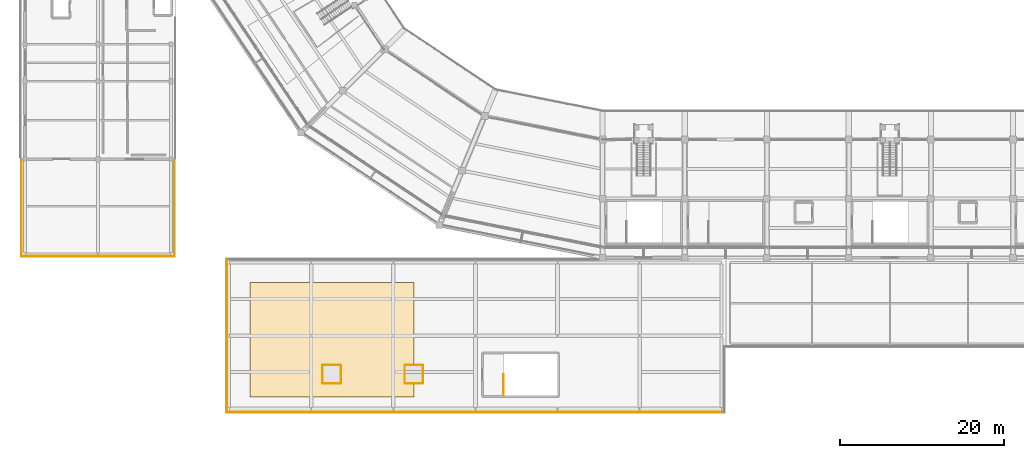
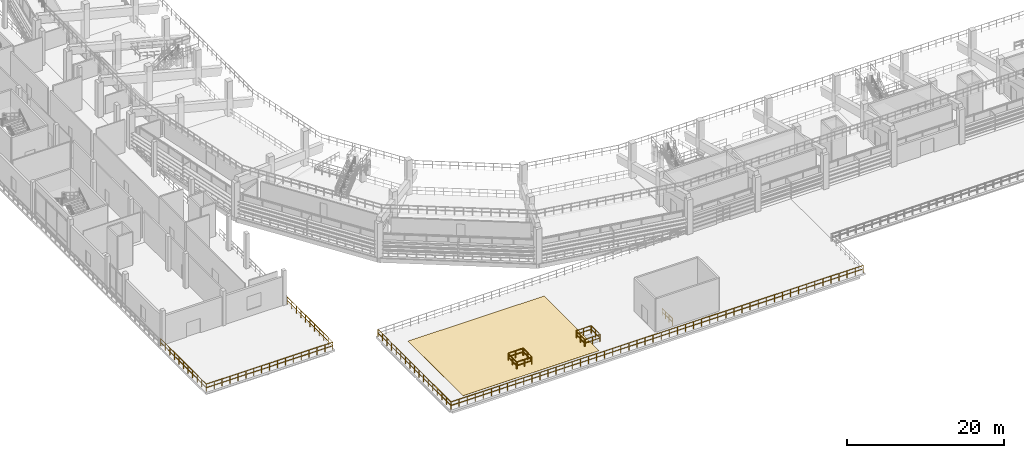
# One storey, part 75 of 96: 14 railings, 1 covering.
"""IFC4 building model written with IfcOpenShell, lengths in metres."""

from ifc_helpers import new_model, si_unit, direction, frame, origin, origin_2d, place, context, subcontext, project, spatial, polyline, circle, outline, extrude, material, layer, layer_set, type_object, element, save


model = new_model("IFC4")

# Units and contexts
model_context = context("Model", 3, precision=1e-05, world=origin(), true_north=direction((0.0, 1.0)))
body_context = subcontext(model_context, "Body", "Model", "MODEL_VIEW")
ifc_project = project(units=[si_unit("LENGTHUNIT", "METRE"), si_unit("AREAUNIT", "SQUARE_METRE"), si_unit("VOLUMEUNIT", "CUBIC_METRE"), si_unit("PLANEANGLEUNIT", "RADIAN"), si_unit("MASSUNIT", "GRAM", prefix="KILO")], contexts=[model_context])

# Site, building, storey
site_placement = place(None, origin())
site = spatial("IfcSite", under=ifc_project, at=site_placement, CompositionType="ELEMENT")
building_placement = place(site_placement, origin())
building = spatial("IfcBuilding", under=site, at=building_placement, Name="Candeia Ridge Stadium", CompositionType="ELEMENT")
storey_placement = place(building_placement, frame((0.0, 0.0, 21.60009765625)))
storey = spatial("IfcBuildingStorey", under=building, at=storey_placement, Name="L04", CompositionType="ELEMENT", Elevation=21.60009765625)

# Railings
ifc_material_1 = material(Name="Laminated Glass & Stainless Steel", Category="steel")
ifc_layer_1 = layer(ifc_material_1, 0.080078125, Name="Laminated Glass & Stainless Steel", Category="steel")
ifc_layer_set_1 = layer_set([ifc_layer_1], Name="Laminated Glass & Stainless Steel")
railing_type_1 = type_object("IfcRailingType", Name="Planted Terrace Glass-Steel Guard 1150", PredefinedType="BALUSTRADE", material=ifc_layer_set_1)
railing_1_placement = place(storey_placement, frame((46.929931640625, 3.679931640625, 0.0)))
element("IfcRailing", 1, at=railing_1_placement, inside=storey, type_object=railing_type_1, Name="Skylight perimeter safety balustrade GR-SKY-04-1", PredefinedType="BALUSTRADE", context=body_context, shape_type="SweptSolid", body=[
    extrude(circle(Radius=0.02392578125, at=origin_2d()), frame((0.0, 0.0, 1.1259765625), z_axis=(1.0, 0.0, 0.0), x_axis=(0.0, 1.0, 0.0)), (0.0, 0.0, 1.0), 2.14013671875),
    extrude(circle(Radius=0.02392578125, at=origin_2d()), frame((0.0, 0.0, 0.574951171875), z_axis=(1.0, 0.0, 0.0), x_axis=(0.0, 1.0, 0.0)), (0.0, 0.0, 1.0), 2.14013671875),
    extrude(circle(Radius=0.02099609375, at=origin_2d()), origin(), (0.0, 0.0, 1.0), 1.101806640625),
    extrude(circle(Radius=0.02099609375, at=origin_2d()), frame((1.070068359375, 0.0, 0.0)), (0.0, 0.0, 1.0), 1.101806640625),
    extrude(circle(Radius=0.02099609375, at=origin_2d()), frame((2.14013671875, 0.0, 0.0)), (0.0, 0.0, 1.0), 1.101806640625),
])
railing_2_placement = place(storey_placement, frame((49.1201171875, 3.72998046875, 0.0)))
element("IfcRailing", 2, at=railing_2_placement, inside=storey, type_object=railing_type_1, Name="Skylight perimeter safety balustrade GR-SKY-04-2", PredefinedType="BALUSTRADE", context=body_context, shape_type="SweptSolid", body=[
    extrude(circle(Radius=0.02392578125, at=origin_2d()), frame((0.0, 0.0, 1.1259765625), z_axis=(0.0, 1.0, 0.0), x_axis=(-1.0, 0.0, 0.0)), (0.0, 0.0, 1.0), 2.14013671875),
    extrude(circle(Radius=0.02392578125, at=origin_2d()), frame((0.0, 0.0, 0.574951171875), z_axis=(0.0, 1.0, 0.0), x_axis=(-1.0, 0.0, 0.0)), (0.0, 0.0, 1.0), 2.14013671875),
    extrude(circle(Radius=0.02099609375, at=origin_2d()), origin(), (0.0, 0.0, 1.0), 1.101806640625),
    extrude(circle(Radius=0.02099609375, at=origin_2d()), frame((0.0, 1.070068359375, 0.0)), (0.0, 0.0, 1.0), 1.101806640625),
    extrude(circle(Radius=0.02099609375, at=origin_2d()), frame((0.0, 2.14013671875, 0.0)), (0.0, 0.0, 1.0), 1.101806640625),
])
railing_3_placement = place(storey_placement, frame((49.070068359375, 5.919921875, 0.0)))
element("IfcRailing", 3, at=railing_3_placement, inside=storey, type_object=railing_type_1, Name="Skylight perimeter safety balustrade GR-SKY-04-3", PredefinedType="BALUSTRADE", context=body_context, shape_type="SweptSolid", body=[
    extrude(circle(Radius=0.02392578125, at=origin_2d()), frame((0.0, 0.0, 1.1259765625), z_axis=(-1.0, 0.0, 0.0), x_axis=(0.0, -1.0, 0.0)), (0.0, 0.0, 1.0), 2.14013671875),
    extrude(circle(Radius=0.02392578125, at=origin_2d()), frame((0.0, 0.0, 0.574951171875), z_axis=(-1.0, 0.0, 0.0), x_axis=(0.0, -1.0, 0.0)), (0.0, 0.0, 1.0), 2.14013671875),
    extrude(circle(Radius=0.02099609375, at=origin_2d()), origin(), (0.0, 0.0, 1.0), 1.101806640625),
    extrude(circle(Radius=0.02099609375, at=origin_2d()), frame((-1.070068359375, 0.0, 0.0)), (0.0, 0.0, 1.0), 1.101806640625),
    extrude(circle(Radius=0.02099609375, at=origin_2d()), frame((-2.14013671875, 0.0, 0.0)), (0.0, 0.0, 1.0), 1.101806640625),
])
railing_4_placement = place(storey_placement, frame((46.8798828125, 5.8701171875, 0.0)))
element("IfcRailing", 4, at=railing_4_placement, inside=storey, type_object=railing_type_1, Name="Skylight perimeter safety balustrade GR-SKY-04-4", PredefinedType="BALUSTRADE", context=body_context, shape_type="SweptSolid", body=[
    extrude(circle(Radius=0.02392578125, at=origin_2d()), frame((0.0, 0.0, 1.1259765625), z_axis=(0.0, -1.0, 0.0), x_axis=(1.0, 0.0, 0.0)), (0.0, 0.0, 1.0), 2.14013671875),
    extrude(circle(Radius=0.02392578125, at=origin_2d()), frame((0.0, 0.0, 0.574951171875), z_axis=(0.0, -1.0, 0.0), x_axis=(1.0, 0.0, 0.0)), (0.0, 0.0, 1.0), 2.14013671875),
    extrude(circle(Radius=0.02099609375, at=origin_2d()), origin(), (0.0, 0.0, 1.0), 1.101806640625),
    extrude(circle(Radius=0.02099609375, at=origin_2d()), frame((0.0, -1.070068359375, 0.0)), (0.0, 0.0, 1.0), 1.101806640625),
    extrude(circle(Radius=0.02099609375, at=origin_2d()), frame((0.0, -2.14013671875, 0.0)), (0.0, 0.0, 1.0), 1.101806640625),
])
railing_5_placement = place(storey_placement, frame((36.929931640625, 3.679931640625, 0.0)))
element("IfcRailing", 5, at=railing_5_placement, inside=storey, type_object=railing_type_1, Name="Skylight perimeter safety balustrade GR-SKY-05-1", PredefinedType="BALUSTRADE", context=body_context, shape_type="SweptSolid", body=[
    extrude(circle(Radius=0.02392578125, at=origin_2d()), frame((0.0, 0.0, 1.1259765625), z_axis=(1.0, 0.0, 0.0), x_axis=(0.0, 1.0, 0.0)), (0.0, 0.0, 1.0), 2.14013671875),
    extrude(circle(Radius=0.02392578125, at=origin_2d()), frame((0.0, 0.0, 0.574951171875), z_axis=(1.0, 0.0, 0.0), x_axis=(0.0, 1.0, 0.0)), (0.0, 0.0, 1.0), 2.14013671875),
    extrude(circle(Radius=0.02099609375, at=origin_2d()), origin(), (0.0, 0.0, 1.0), 1.101806640625),
    extrude(circle(Radius=0.02099609375, at=origin_2d()), frame((1.070068359375, 0.0, 0.0)), (0.0, 0.0, 1.0), 1.101806640625),
    extrude(circle(Radius=0.02099609375, at=origin_2d()), frame((2.14013671875, 0.0, 0.0)), (0.0, 0.0, 1.0), 1.101806640625),
])
railing_6_placement = place(storey_placement, frame((39.1201171875, 3.72998046875, 0.0)))
element("IfcRailing", 6, at=railing_6_placement, inside=storey, type_object=railing_type_1, Name="Skylight perimeter safety balustrade GR-SKY-05-2", PredefinedType="BALUSTRADE", context=body_context, shape_type="SweptSolid", body=[
    extrude(circle(Radius=0.02392578125, at=origin_2d()), frame((0.0, 0.0, 1.1259765625), z_axis=(0.0, 1.0, 0.0), x_axis=(-1.0, 0.0, 0.0)), (0.0, 0.0, 1.0), 2.14013671875),
    extrude(circle(Radius=0.02392578125, at=origin_2d()), frame((0.0, 0.0, 0.574951171875), z_axis=(0.0, 1.0, 0.0), x_axis=(-1.0, 0.0, 0.0)), (0.0, 0.0, 1.0), 2.14013671875),
    extrude(circle(Radius=0.02099609375, at=origin_2d()), origin(), (0.0, 0.0, 1.0), 1.101806640625),
    extrude(circle(Radius=0.02099609375, at=origin_2d()), frame((0.0, 1.070068359375, 0.0)), (0.0, 0.0, 1.0), 1.101806640625),
    extrude(circle(Radius=0.02099609375, at=origin_2d()), frame((0.0, 2.14013671875, 0.0)), (0.0, 0.0, 1.0), 1.101806640625),
])
railing_7_placement = place(storey_placement, frame((39.070068359375, 5.919921875, 0.0)))
element("IfcRailing", 7, at=railing_7_placement, inside=storey, type_object=railing_type_1, Name="Skylight perimeter safety balustrade GR-SKY-05-3", PredefinedType="BALUSTRADE", context=body_context, shape_type="SweptSolid", body=[
    extrude(circle(Radius=0.02392578125, at=origin_2d()), frame((0.0, 0.0, 1.1259765625), z_axis=(-1.0, 0.0, 0.0), x_axis=(0.0, -1.0, 0.0)), (0.0, 0.0, 1.0), 2.14013671875),
    extrude(circle(Radius=0.02392578125, at=origin_2d()), frame((0.0, 0.0, 0.574951171875), z_axis=(-1.0, 0.0, 0.0), x_axis=(0.0, -1.0, 0.0)), (0.0, 0.0, 1.0), 2.14013671875),
    extrude(circle(Radius=0.02099609375, at=origin_2d()), origin(), (0.0, 0.0, 1.0), 1.101806640625),
    extrude(circle(Radius=0.02099609375, at=origin_2d()), frame((-1.070068359375, 0.0, 0.0)), (0.0, 0.0, 1.0), 1.101806640625),
    extrude(circle(Radius=0.02099609375, at=origin_2d()), frame((-2.14013671875, 0.0, 0.0)), (0.0, 0.0, 1.0), 1.101806640625),
])
railing_8_placement = place(storey_placement, frame((36.8798828125, 5.8701171875, 0.0)))
element("IfcRailing", 8, at=railing_8_placement, inside=storey, type_object=railing_type_1, Name="Skylight perimeter safety balustrade GR-SKY-05-4", PredefinedType="BALUSTRADE", context=body_context, shape_type="SweptSolid", body=[
    extrude(circle(Radius=0.02392578125, at=origin_2d()), frame((0.0, 0.0, 1.1259765625), z_axis=(0.0, -1.0, 0.0), x_axis=(1.0, 0.0, 0.0)), (0.0, 0.0, 1.0), 2.14013671875),
    extrude(circle(Radius=0.02392578125, at=origin_2d()), frame((0.0, 0.0, 0.574951171875), z_axis=(0.0, -1.0, 0.0), x_axis=(1.0, 0.0, 0.0)), (0.0, 0.0, 1.0), 2.14013671875),
    extrude(circle(Radius=0.02099609375, at=origin_2d()), origin(), (0.0, 0.0, 1.0), 1.101806640625),
    extrude(circle(Radius=0.02099609375, at=origin_2d()), frame((0.0, -1.070068359375, 0.0)), (0.0, 0.0, 1.0), 1.101806640625),
    extrude(circle(Radius=0.02099609375, at=origin_2d()), frame((0.0, -2.14013671875, 0.0)), (0.0, 0.0, 1.0), 1.101806640625),
])
railing_9_placement = place(storey_placement, frame((25.199951171875, 18.800048828125, 0.0)))
element("IfcRailing", 9, at=railing_9_placement, inside=storey, type_object=railing_type_1, Name="Terrace perimeter balustrade GR-TER-200", PredefinedType="BALUSTRADE", context=body_context, shape_type="SweptSolid", body=[
    extrude(circle(Radius=0.02392578125, at=origin_2d()), frame((0.0, 0.0, 1.1259765625), z_axis=(0.0, -1.0, 0.0), x_axis=(1.0, 0.0, 0.0)), (0.0, 0.0, 1.0), 18.60009765625),
    extrude(circle(Radius=0.02392578125, at=origin_2d()), frame((0.0, 0.0, 0.574951171875), z_axis=(0.0, -1.0, 0.0), x_axis=(1.0, 0.0, 0.0)), (0.0, 0.0, 1.0), 18.60009765625),
    extrude(circle(Radius=0.02099609375, at=origin_2d()), origin(), (0.0, 0.0, 1.0), 1.101806640625),
    extrude(circle(Radius=0.02099609375, at=origin_2d()), frame((0.0, -1.16259765625, 0.0)), (0.0, 0.0, 1.0), 1.101806640625),
    extrude(circle(Radius=0.02099609375, at=origin_2d()), frame((0.0, -2.324951171875, 0.0)), (0.0, 0.0, 1.0), 1.101806640625),
    extrude(circle(Radius=0.02099609375, at=origin_2d()), frame((0.0, -3.487548828125, 0.0)), (0.0, 0.0, 1.0), 1.101806640625),
    extrude(circle(Radius=0.02099609375, at=origin_2d()), frame((0.0, -4.64990234375, 0.0)), (0.0, 0.0, 1.0), 1.101806640625),
    extrude(circle(Radius=0.02099609375, at=origin_2d()), frame((0.0, -5.8125, 0.0)), (0.0, 0.0, 1.0), 1.101806640625),
    extrude(circle(Radius=0.02099609375, at=origin_2d()), frame((0.0, -6.97509765625, 0.0)), (0.0, 0.0, 1.0), 1.101806640625),
    extrude(circle(Radius=0.02099609375, at=origin_2d()), frame((0.0, -8.137451171875, 0.0)), (0.0, 0.0, 1.0), 1.101806640625),
    extrude(circle(Radius=0.02099609375, at=origin_2d()), frame((0.0, -9.300048828125, 0.0)), (0.0, 0.0, 1.0), 1.101806640625),
    extrude(circle(Radius=0.02099609375, at=origin_2d()), frame((0.0, -10.462646484375, 0.0)), (0.0, 0.0, 1.0), 1.101806640625),
    extrude(circle(Radius=0.02099609375, at=origin_2d()), frame((0.0, -11.625, 0.0)), (0.0, 0.0, 1.0), 1.101806640625),
    extrude(circle(Radius=0.02099609375, at=origin_2d()), frame((0.0, -12.78759765625, 0.0)), (0.0, 0.0, 1.0), 1.101806640625),
    extrude(circle(Radius=0.02099609375, at=origin_2d()), frame((0.0, -13.9501953125, 0.0)), (0.0, 0.0, 1.0), 1.101806640625),
    extrude(circle(Radius=0.02099609375, at=origin_2d()), frame((0.0, -15.112548828125, 0.0)), (0.0, 0.0, 1.0), 1.101806640625),
    extrude(circle(Radius=0.02099609375, at=origin_2d()), frame((0.0, -16.275146484375, 0.0)), (0.0, 0.0, 1.0), 1.101806640625),
    extrude(circle(Radius=0.02099609375, at=origin_2d()), frame((0.0, -17.4375, 0.0)), (0.0, 0.0, 1.0), 1.101806640625),
    extrude(circle(Radius=0.02099609375, at=origin_2d()), frame((0.0, -18.60009765625, 0.0)), (0.0, 0.0, 1.0), 1.101806640625),
])
railing_10_placement = place(storey_placement, frame((25.199951171875, 0.199951171875, 0.0)))
element("IfcRailing", 10, at=railing_10_placement, inside=storey, type_object=railing_type_1, Name="Terrace perimeter balustrade GR-TER-201", PredefinedType="BALUSTRADE", context=body_context, shape_type="SweptSolid", body=[
    extrude(circle(Radius=0.02392578125, at=origin_2d()), frame((0.0, 0.0, 1.1259765625), z_axis=(1.0, 0.0, 0.0), x_axis=(0.0, 1.0, 0.0)), (0.0, 0.0, 1.0), 60.60009765625),
    extrude(circle(Radius=0.02392578125, at=origin_2d()), frame((0.0, 0.0, 0.574951171875), z_axis=(1.0, 0.0, 0.0), x_axis=(0.0, 1.0, 0.0)), (0.0, 0.0, 1.0), 60.60009765625),
    extrude(circle(Radius=0.02099609375, at=origin_2d()), origin(), (0.0, 0.0, 1.0), 1.101806640625),
    extrude(circle(Radius=0.02099609375, at=origin_2d()), frame((1.188232421875, 0.0, 0.0)), (0.0, 0.0, 1.0), 1.101806640625),
    extrude(circle(Radius=0.02099609375, at=origin_2d()), frame((2.37646484375, 0.0, 0.0)), (0.0, 0.0, 1.0), 1.101806640625),
    extrude(circle(Radius=0.02099609375, at=origin_2d()), frame((3.564697265625, 0.0, 0.0)), (0.0, 0.0, 1.0), 1.101806640625),
    extrude(circle(Radius=0.02099609375, at=origin_2d()), frame((4.7529296875, 0.0, 0.0)), (0.0, 0.0, 1.0), 1.101806640625),
    extrude(circle(Radius=0.02099609375, at=origin_2d()), frame((5.941162109375, 0.0, 0.0)), (0.0, 0.0, 1.0), 1.101806640625),
    extrude(circle(Radius=0.02099609375, at=origin_2d()), frame((7.12939453125, 0.0, 0.0)), (0.0, 0.0, 1.0), 1.101806640625),
    extrude(circle(Radius=0.02099609375, at=origin_2d()), frame((8.317626953125, 0.0, 0.0)), (0.0, 0.0, 1.0), 1.101806640625),
    extrude(circle(Radius=0.02099609375, at=origin_2d()), frame((9.505859375, 0.0, 0.0)), (0.0, 0.0, 1.0), 1.101806640625),
    extrude(circle(Radius=0.02099609375, at=origin_2d()), frame((10.694091796875, 0.0, 0.0)), (0.0, 0.0, 1.0), 1.101806640625),
    extrude(circle(Radius=0.02099609375, at=origin_2d()), frame((11.88232421875, 0.0, 0.0)), (0.0, 0.0, 1.0), 1.101806640625),
    extrude(circle(Radius=0.02099609375, at=origin_2d()), frame((13.070556640625, 0.0, 0.0)), (0.0, 0.0, 1.0), 1.101806640625),
    extrude(circle(Radius=0.02099609375, at=origin_2d()), frame((14.2587890625, 0.0, 0.0)), (0.0, 0.0, 1.0), 1.101806640625),
    extrude(circle(Radius=0.02099609375, at=origin_2d()), frame((15.447021484375, 0.0, 0.0)), (0.0, 0.0, 1.0), 1.101806640625),
    extrude(circle(Radius=0.02099609375, at=origin_2d()), frame((16.63525390625, 0.0, 0.0)), (0.0, 0.0, 1.0), 1.101806640625),
    extrude(circle(Radius=0.02099609375, at=origin_2d()), frame((17.823486328125, 0.0, 0.0)), (0.0, 0.0, 1.0), 1.101806640625),
    extrude(circle(Radius=0.02099609375, at=origin_2d()), frame((19.01171875, 0.0, 0.0)), (0.0, 0.0, 1.0), 1.101806640625),
    extrude(circle(Radius=0.02099609375, at=origin_2d()), frame((20.199951171875, 0.0, 0.0)), (0.0, 0.0, 1.0), 1.101806640625),
    extrude(circle(Radius=0.02099609375, at=origin_2d()), frame((21.38818359375, 0.0, 0.0)), (0.0, 0.0, 1.0), 1.101806640625),
    extrude(circle(Radius=0.02099609375, at=origin_2d()), frame((22.576416015625, 0.0, 0.0)), (0.0, 0.0, 1.0), 1.101806640625),
    extrude(circle(Radius=0.02099609375, at=origin_2d()), frame((23.7646484375, 0.0, 0.0)), (0.0, 0.0, 1.0), 1.101806640625),
    extrude(circle(Radius=0.02099609375, at=origin_2d()), frame((24.952880859375, 0.0, 0.0)), (0.0, 0.0, 1.0), 1.101806640625),
    extrude(circle(Radius=0.02099609375, at=origin_2d()), frame((26.14111328125, 0.0, 0.0)), (0.0, 0.0, 1.0), 1.101806640625),
    extrude(circle(Radius=0.02099609375, at=origin_2d()), frame((27.329345703125, 0.0, 0.0)), (0.0, 0.0, 1.0), 1.101806640625),
    extrude(circle(Radius=0.02099609375, at=origin_2d()), frame((28.517578125, 0.0, 0.0)), (0.0, 0.0, 1.0), 1.101806640625),
    extrude(circle(Radius=0.02099609375, at=origin_2d()), frame((29.705810546875, 0.0, 0.0)), (0.0, 0.0, 1.0), 1.101806640625),
    extrude(circle(Radius=0.02099609375, at=origin_2d()), frame((30.894287109375, 0.0, 0.0)), (0.0, 0.0, 1.0), 1.101806640625),
    extrude(circle(Radius=0.02099609375, at=origin_2d()), frame((32.08251953125, 0.0, 0.0)), (0.0, 0.0, 1.0), 1.101806640625),
    extrude(circle(Radius=0.02099609375, at=origin_2d()), frame((33.270751953125, 0.0, 0.0)), (0.0, 0.0, 1.0), 1.101806640625),
    extrude(circle(Radius=0.02099609375, at=origin_2d()), frame((34.458984375, 0.0, 0.0)), (0.0, 0.0, 1.0), 1.101806640625),
    extrude(circle(Radius=0.02099609375, at=origin_2d()), frame((35.647216796875, 0.0, 0.0)), (0.0, 0.0, 1.0), 1.101806640625),
    extrude(circle(Radius=0.02099609375, at=origin_2d()), frame((36.83544921875, 0.0, 0.0)), (0.0, 0.0, 1.0), 1.101806640625),
    extrude(circle(Radius=0.02099609375, at=origin_2d()), frame((38.023681640625, 0.0, 0.0)), (0.0, 0.0, 1.0), 1.101806640625),
    extrude(circle(Radius=0.02099609375, at=origin_2d()), frame((39.2119140625, 0.0, 0.0)), (0.0, 0.0, 1.0), 1.101806640625),
    extrude(circle(Radius=0.02099609375, at=origin_2d()), frame((40.400146484375, 0.0, 0.0)), (0.0, 0.0, 1.0), 1.101806640625),
    extrude(circle(Radius=0.02099609375, at=origin_2d()), frame((41.58837890625, 0.0, 0.0)), (0.0, 0.0, 1.0), 1.101806640625),
    extrude(circle(Radius=0.02099609375, at=origin_2d()), frame((42.776611328125, 0.0, 0.0)), (0.0, 0.0, 1.0), 1.101806640625),
    extrude(circle(Radius=0.02099609375, at=origin_2d()), frame((43.96484375, 0.0, 0.0)), (0.0, 0.0, 1.0), 1.101806640625),
    extrude(circle(Radius=0.02099609375, at=origin_2d()), frame((45.153076171875, 0.0, 0.0)), (0.0, 0.0, 1.0), 1.101806640625),
    extrude(circle(Radius=0.02099609375, at=origin_2d()), frame((46.34130859375, 0.0, 0.0)), (0.0, 0.0, 1.0), 1.101806640625),
    extrude(circle(Radius=0.02099609375, at=origin_2d()), frame((47.529541015625, 0.0, 0.0)), (0.0, 0.0, 1.0), 1.101806640625),
    extrude(circle(Radius=0.02099609375, at=origin_2d()), frame((48.7177734375, 0.0, 0.0)), (0.0, 0.0, 1.0), 1.101806640625),
    extrude(circle(Radius=0.02099609375, at=origin_2d()), frame((49.906005859375, 0.0, 0.0)), (0.0, 0.0, 1.0), 1.101806640625),
    extrude(circle(Radius=0.02099609375, at=origin_2d()), frame((51.09423828125, 0.0, 0.0)), (0.0, 0.0, 1.0), 1.101806640625),
    extrude(circle(Radius=0.02099609375, at=origin_2d()), frame((52.282470703125, 0.0, 0.0)), (0.0, 0.0, 1.0), 1.101806640625),
    extrude(circle(Radius=0.02099609375, at=origin_2d()), frame((53.470703125, 0.0, 0.0)), (0.0, 0.0, 1.0), 1.101806640625),
    extrude(circle(Radius=0.02099609375, at=origin_2d()), frame((54.658935546875, 0.0, 0.0)), (0.0, 0.0, 1.0), 1.101806640625),
    extrude(circle(Radius=0.02099609375, at=origin_2d()), frame((55.84716796875, 0.0, 0.0)), (0.0, 0.0, 1.0), 1.101806640625),
    extrude(circle(Radius=0.02099609375, at=origin_2d()), frame((57.035400390625, 0.0, 0.0)), (0.0, 0.0, 1.0), 1.101806640625),
    extrude(circle(Radius=0.02099609375, at=origin_2d()), frame((58.2236328125, 0.0, 0.0)), (0.0, 0.0, 1.0), 1.101806640625),
    extrude(circle(Radius=0.02099609375, at=origin_2d()), frame((59.411865234375, 0.0, 0.0)), (0.0, 0.0, 1.0), 1.101806640625),
    extrude(circle(Radius=0.02099609375, at=origin_2d()), frame((60.60009765625, 0.0, 0.0)), (0.0, 0.0, 1.0), 1.101806640625),
])
railing_11_placement = place(storey_placement, frame((0.199951171875, 30.800048828125, 0.0)))
element("IfcRailing", 11, at=railing_11_placement, inside=storey, type_object=railing_type_1, Name="Terrace perimeter balustrade GR-TER-208", PredefinedType="BALUSTRADE", context=body_context, shape_type="SweptSolid", body=[
    extrude(circle(Radius=0.02392578125, at=origin_2d()), frame((0.0, 0.0, 1.1259765625), z_axis=(0.0, -1.0, 0.0), x_axis=(1.0, 0.0, 0.0)), (0.0, 0.0, 1.0), 11.60009765625),
    extrude(circle(Radius=0.02392578125, at=origin_2d()), frame((0.0, 0.0, 0.574951171875), z_axis=(0.0, -1.0, 0.0), x_axis=(1.0, 0.0, 0.0)), (0.0, 0.0, 1.0), 11.60009765625),
    extrude(circle(Radius=0.02099609375, at=origin_2d()), origin(), (0.0, 0.0, 1.0), 1.101806640625),
    extrude(circle(Radius=0.02099609375, at=origin_2d()), frame((0.0, -1.159912109375, 0.0)), (0.0, 0.0, 1.0), 1.101806640625),
    extrude(circle(Radius=0.02099609375, at=origin_2d()), frame((0.0, -2.320068359375, 0.0)), (0.0, 0.0, 1.0), 1.101806640625),
    extrude(circle(Radius=0.02099609375, at=origin_2d()), frame((0.0, -3.47998046875, 0.0)), (0.0, 0.0, 1.0), 1.101806640625),
    extrude(circle(Radius=0.02099609375, at=origin_2d()), frame((0.0, -4.64013671875, 0.0)), (0.0, 0.0, 1.0), 1.101806640625),
    extrude(circle(Radius=0.02099609375, at=origin_2d()), frame((0.0, -5.800048828125, 0.0)), (0.0, 0.0, 1.0), 1.101806640625),
    extrude(circle(Radius=0.02099609375, at=origin_2d()), frame((0.0, -6.9599609375, 0.0)), (0.0, 0.0, 1.0), 1.101806640625),
    extrude(circle(Radius=0.02099609375, at=origin_2d()), frame((0.0, -8.1201171875, 0.0)), (0.0, 0.0, 1.0), 1.101806640625),
    extrude(circle(Radius=0.02099609375, at=origin_2d()), frame((0.0, -9.280029296875, 0.0)), (0.0, 0.0, 1.0), 1.101806640625),
    extrude(circle(Radius=0.02099609375, at=origin_2d()), frame((0.0, -10.440185546875, 0.0)), (0.0, 0.0, 1.0), 1.101806640625),
    extrude(circle(Radius=0.02099609375, at=origin_2d()), frame((0.0, -11.60009765625, 0.0)), (0.0, 0.0, 1.0), 1.101806640625),
])
railing_12_placement = place(storey_placement, frame((0.199951171875, 19.199951171875, 0.0)))
element("IfcRailing", 12, at=railing_12_placement, inside=storey, type_object=railing_type_1, Name="Terrace perimeter balustrade GR-TER-209", PredefinedType="BALUSTRADE", context=body_context, shape_type="SweptSolid", body=[
    extrude(circle(Radius=0.02392578125, at=origin_2d()), frame((0.0, 0.0, 1.1259765625), z_axis=(1.0, 0.0, 0.0), x_axis=(0.0, 1.0, 0.0)), (0.0, 0.0, 1.0), 18.60009765625),
    extrude(circle(Radius=0.02392578125, at=origin_2d()), frame((0.0, 0.0, 0.574951171875), z_axis=(1.0, 0.0, 0.0), x_axis=(0.0, 1.0, 0.0)), (0.0, 0.0, 1.0), 18.60009765625),
    extrude(circle(Radius=0.02099609375, at=origin_2d()), origin(), (0.0, 0.0, 1.0), 1.101806640625),
    extrude(circle(Radius=0.02099609375, at=origin_2d()), frame((1.16259765625, 0.0, 0.0)), (0.0, 0.0, 1.0), 1.101806640625),
    extrude(circle(Radius=0.02099609375, at=origin_2d()), frame((2.324951171875, 0.0, 0.0)), (0.0, 0.0, 1.0), 1.101806640625),
    extrude(circle(Radius=0.02099609375, at=origin_2d()), frame((3.487548828125, 0.0, 0.0)), (0.0, 0.0, 1.0), 1.101806640625),
    extrude(circle(Radius=0.02099609375, at=origin_2d()), frame((4.64990234375, 0.0, 0.0)), (0.0, 0.0, 1.0), 1.101806640625),
    extrude(circle(Radius=0.02099609375, at=origin_2d()), frame((5.8125, 0.0, 0.0)), (0.0, 0.0, 1.0), 1.101806640625),
    extrude(circle(Radius=0.02099609375, at=origin_2d()), frame((6.97509765625, 0.0, 0.0)), (0.0, 0.0, 1.0), 1.101806640625),
    extrude(circle(Radius=0.02099609375, at=origin_2d()), frame((8.137451171875, 0.0, 0.0)), (0.0, 0.0, 1.0), 1.101806640625),
    extrude(circle(Radius=0.02099609375, at=origin_2d()), frame((9.300048828125, 0.0, 0.0)), (0.0, 0.0, 1.0), 1.101806640625),
    extrude(circle(Radius=0.02099609375, at=origin_2d()), frame((10.462646484375, 0.0, 0.0)), (0.0, 0.0, 1.0), 1.101806640625),
    extrude(circle(Radius=0.02099609375, at=origin_2d()), frame((11.625, 0.0, 0.0)), (0.0, 0.0, 1.0), 1.101806640625),
    extrude(circle(Radius=0.02099609375, at=origin_2d()), frame((12.78759765625, 0.0, 0.0)), (0.0, 0.0, 1.0), 1.101806640625),
    extrude(circle(Radius=0.02099609375, at=origin_2d()), frame((13.9501953125, 0.0, 0.0)), (0.0, 0.0, 1.0), 1.101806640625),
    extrude(circle(Radius=0.02099609375, at=origin_2d()), frame((15.112548828125, 0.0, 0.0)), (0.0, 0.0, 1.0), 1.101806640625),
    extrude(circle(Radius=0.02099609375, at=origin_2d()), frame((16.275146484375, 0.0, 0.0)), (0.0, 0.0, 1.0), 1.101806640625),
    extrude(circle(Radius=0.02099609375, at=origin_2d()), frame((17.4375, 0.0, 0.0)), (0.0, 0.0, 1.0), 1.101806640625),
    extrude(circle(Radius=0.02099609375, at=origin_2d()), frame((18.60009765625, 0.0, 0.0)), (0.0, 0.0, 1.0), 1.101806640625),
])
railing_13_placement = place(storey_placement, frame((18.800048828125, 19.199951171875, 0.0)))
element("IfcRailing", 13, at=railing_13_placement, inside=storey, type_object=railing_type_1, Name="Terrace perimeter balustrade GR-TER-210", PredefinedType="BALUSTRADE", context=body_context, shape_type="SweptSolid", body=[
    extrude(circle(Radius=0.02392578125, at=origin_2d()), frame((0.0, 0.0, 1.1259765625), z_axis=(0.0, 1.0, 0.0), x_axis=(-1.0, 0.0, 0.0)), (0.0, 0.0, 1.0), 11.60009765625),
    extrude(circle(Radius=0.02392578125, at=origin_2d()), frame((0.0, 0.0, 0.574951171875), z_axis=(0.0, 1.0, 0.0), x_axis=(-1.0, 0.0, 0.0)), (0.0, 0.0, 1.0), 11.60009765625),
    extrude(circle(Radius=0.02099609375, at=origin_2d()), origin(), (0.0, 0.0, 1.0), 1.101806640625),
    extrude(circle(Radius=0.02099609375, at=origin_2d()), frame((0.0, 1.159912109375, 0.0)), (0.0, 0.0, 1.0), 1.101806640625),
    extrude(circle(Radius=0.02099609375, at=origin_2d()), frame((0.0, 2.320068359375, 0.0)), (0.0, 0.0, 1.0), 1.101806640625),
    extrude(circle(Radius=0.02099609375, at=origin_2d()), frame((0.0, 3.47998046875, 0.0)), (0.0, 0.0, 1.0), 1.101806640625),
    extrude(circle(Radius=0.02099609375, at=origin_2d()), frame((0.0, 4.64013671875, 0.0)), (0.0, 0.0, 1.0), 1.101806640625),
    extrude(circle(Radius=0.02099609375, at=origin_2d()), frame((0.0, 5.800048828125, 0.0)), (0.0, 0.0, 1.0), 1.101806640625),
    extrude(circle(Radius=0.02099609375, at=origin_2d()), frame((0.0, 6.9599609375, 0.0)), (0.0, 0.0, 1.0), 1.101806640625),
    extrude(circle(Radius=0.02099609375, at=origin_2d()), frame((0.0, 8.1201171875, 0.0)), (0.0, 0.0, 1.0), 1.101806640625),
    extrude(circle(Radius=0.02099609375, at=origin_2d()), frame((0.0, 9.280029296875, 0.0)), (0.0, 0.0, 1.0), 1.101806640625),
    extrude(circle(Radius=0.02099609375, at=origin_2d()), frame((0.0, 10.440185546875, 0.0)), (0.0, 0.0, 1.0), 1.101806640625),
    extrude(circle(Radius=0.02099609375, at=origin_2d()), frame((0.0, 11.60009765625, 0.0)), (0.0, 0.0, 1.0), 1.101806640625),
])

# Covering
ifc_material_2 = material(Name="EPDM Root-Barrier Waterproof Membrane", Category="concrete")
ifc_layer_2 = layer(ifc_material_2, 0.02001953125, Name="EPDM Root-Barrier Waterproof Membrane", Category="concrete")
ifc_layer_set_2 = layer_set([ifc_layer_2], Name="EPDM Root-Barrier Waterproof Membrane")
covering_type = type_object("IfcCoveringType", Name="Planted Terrace Waterproof Membrane 20", PredefinedType="ROOFING", material=ifc_layer_set_2)
covering_placement = place(storey_placement, origin())
element("IfcCovering", 14, at=covering_placement, inside=storey, type_object=covering_type, Name="Terrace waterproof membrane RMEM-05", PredefinedType="ROOFING", context=body_context, shape_type="SweptSolid", body=[
    extrude(outline(polyline([(28.0, 2.0), (48.0, 2.0), (48.0, 16.0), (28.0, 16.0), (28.0, 2.0)])), origin(), (0.0, 0.0, 1.0), 0.02001953125),
])

# Railing
ifc_material_3 = material(Name="Galvanized Powder-Coated Steel", Category="steel")
ifc_layer_3 = layer(ifc_material_3, 0.06005859375, Name="Galvanized Powder-Coated Steel", Category="steel")
ifc_layer_set_3 = layer_set([ifc_layer_3], Name="Galvanized Powder-Coated Steel")
railing_type_2 = type_object("IfcRailingType", Name="Stair Well Guardrail 1100", PredefinedType="GUARDRAIL", material=ifc_layer_set_3)
railing_14_placement = place(storey_placement, frame((58.89990234375, 2.199951171875, 0.0)))
element("IfcRailing", 15, at=railing_14_placement, inside=storey, type_object=railing_type_2, Name="L04 ST13 top well guard 1", PredefinedType="GUARDRAIL", context=body_context, shape_type="SweptSolid", body=[
    extrude(circle(Radius=0.02392578125, at=origin_2d()), frame((0.0, 0.0, 1.076171875), z_axis=(0.0, 1.0, 0.0), x_axis=(-1.0, 0.0, 0.0)), (0.0, 0.0, 1.0), 2.60009765625),
    extrude(circle(Radius=0.02392578125, at=origin_2d()), frame((0.0, 0.0, 0.550048828125), z_axis=(0.0, 1.0, 0.0), x_axis=(-1.0, 0.0, 0.0)), (0.0, 0.0, 1.0), 2.60009765625),
    extrude(circle(Radius=0.02099609375, at=origin_2d()), origin(), (0.0, 0.0, 1.0), 1.052001953125),
    extrude(circle(Radius=0.02099609375, at=origin_2d()), frame((0.0, 0.86669921875, 0.0)), (0.0, 0.0, 1.0), 1.052001953125),
    extrude(circle(Radius=0.02099609375, at=origin_2d()), frame((0.0, 1.7333984375, 0.0)), (0.0, 0.0, 1.0), 1.052001953125),
    extrude(circle(Radius=0.02099609375, at=origin_2d()), frame((0.0, 2.60009765625, 0.0)), (0.0, 0.0, 1.0), 1.052001953125),
])

save(model, "model.ifc")
